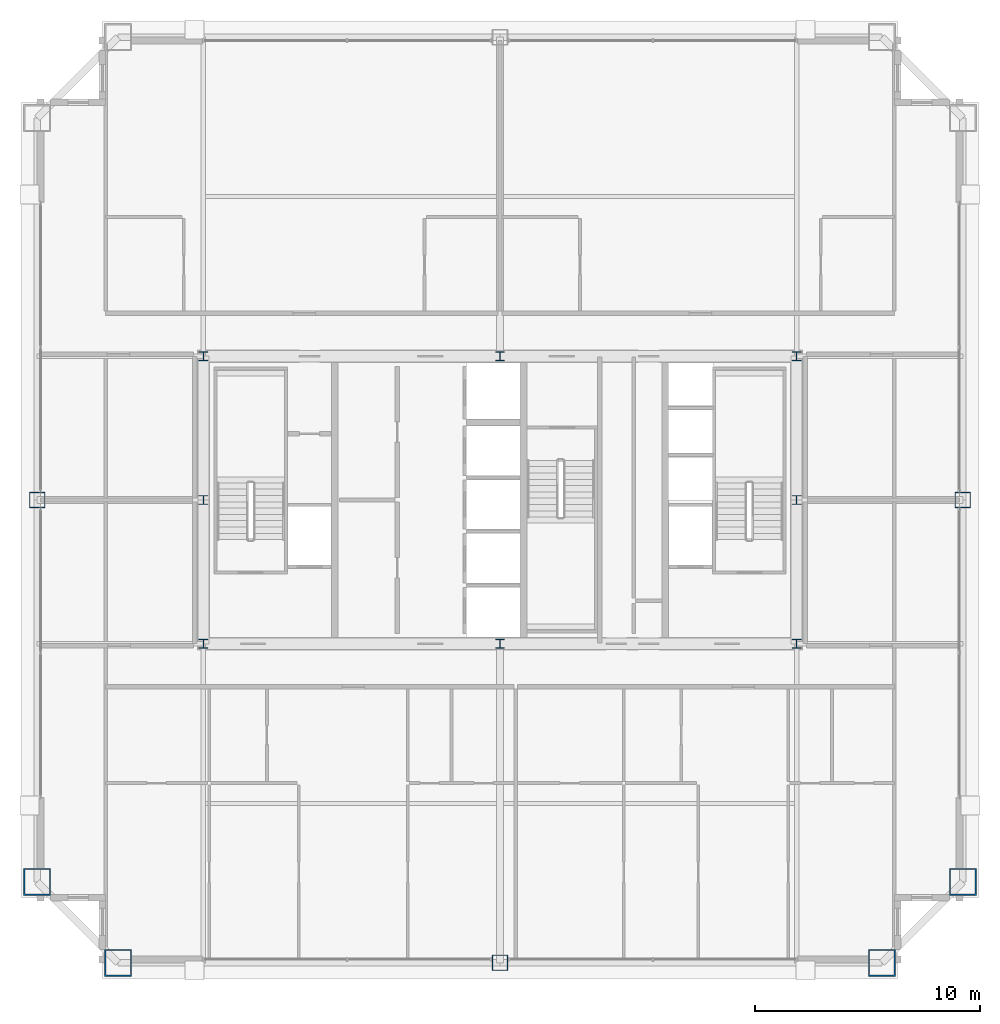
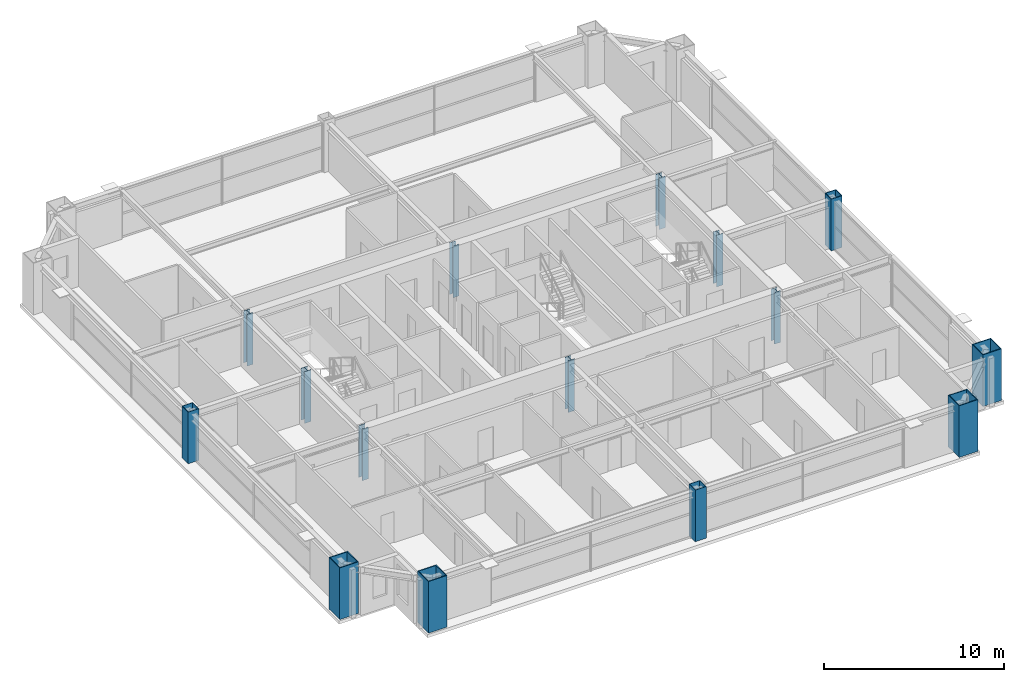
# One storey, part 1 of 36: 15 columns.
"""IFC4 building model written with IfcOpenShell, lengths in metres."""

from ifc_helpers import new_model, si_unit, direction, frame, origin, origin_2d, place, context, subcontext, project, spatial, hollow_rectangle, i_section, extrude, source, transform, mapped, material, material_profile, profile_set, type_object, element, save


model = new_model("IFC4")

# Units and contexts
model_context = context("Model", 3, precision=1e-05, world=origin(), true_north=direction((0.0, 1.0)))
body_context = subcontext(model_context, "Body", "Model", "MODEL_VIEW")
ifc_project = project(units=[si_unit("LENGTHUNIT", "METRE"), si_unit("AREAUNIT", "SQUARE_METRE"), si_unit("VOLUMEUNIT", "CUBIC_METRE"), si_unit("PLANEANGLEUNIT", "RADIAN"), si_unit("MASSUNIT", "GRAM", prefix="KILO"), si_unit("THERMODYNAMICTEMPERATUREUNIT", "KELVIN"), si_unit("POWERUNIT", "WATT")], contexts=[model_context])

# Site, building, storey
site_placement = place(None, origin())
site = spatial("IfcSite", under=ifc_project, at=site_placement, CompositionType="ELEMENT")
building_placement = place(site_placement, origin())
building = spatial("IfcBuilding", under=site, at=building_placement, Name="Yuzanri Waterfront Tower", CompositionType="ELEMENT")
storey_placement = place(building_placement, frame((0.0, 0.0, 231.10009765625)))
storey = spatial("IfcBuildingStorey", under=building, at=storey_placement, Name="L61", CompositionType="ELEMENT", Elevation=231.10009765625)

# Columns
ifc_material_1 = material(Name="Steel Q355B", Category="steel")
ifc_material_profile_1 = material_profile(ifc_material_1, i_section(OverallWidth=0.39990234375, OverallDepth=0.39990234375, WebThickness=0.012939453125, FlangeThickness=0.02099609375, at=origin_2d()), Name="HW 400x400x13x21")
ifc_profile_set_1 = profile_set([ifc_material_profile_1], Name="Steel Q355B")
column_type_1 = type_object("IfcColumnType", Name="Core Post Q355B HW 400x400x13x21", PredefinedType="COLUMN", material=ifc_profile_set_1)
shared_shape_1 = source(origin(), body_context, "Body", "SweptSolid", [
    extrude(i_section(OverallWidth=0.39990234375, OverallDepth=0.39990234375, WebThickness=0.012939453125, FlangeThickness=0.02099609375, at=origin_2d()), origin(), (0.0, 0.0, 1.0), 3.5),
])
for number, where, z_axis, x_axis, name in (
    (1, (23.800048828125, 19.39990234375, 0.0), (0.0, 0.0, 1.0), (1.0, 0.0, 0.0), "L61 Core Boundary Column CP1"),
    (2, (37.0, 19.39990234375, 0.0), (0.0, 0.0, 1.0), (1.0, 0.0, 0.0), "L61 Core Boundary Column CP2"),
    (3, (50.199951171875, 19.39990234375, 0.0), (0.0, 0.0, 1.0), (1.0, 0.0, 0.0), "L61 Core Boundary Column CP3"),
    (4, (23.800048828125, 25.800048828125, 0.0), (0.0, 0.0, 1.0), (1.0, 0.0, 0.0), "L61 Core Boundary Column CP4"),
    (5, (50.199951171875, 25.800048828125, 0.0), (0.0, 0.0, 1.0), (1.0, 0.0, 0.0), "L61 Core Boundary Column CP5"),
    (6, (23.800048828125, 32.199951171875, 0.0), (0.0, 0.0, 1.0), (1.0, 0.0, 0.0), "L61 Core Boundary Column CP6"),
    (7, (37.0, 32.199951171875, 0.0), (0.0, 0.0, 1.0), (1.0, 0.0, 0.0), "L61 Core Boundary Column CP7"),
    (8, (50.199951171875, 32.199951171875, 0.0), (0.0, 0.0, 1.0), (1.0, 0.0, 0.0), "L61 Core Boundary Column CP8"),
):
    element("IfcColumn", number, at=place(storey_placement, frame(where, z_axis=z_axis, x_axis=x_axis)), inside=storey, type_object=column_type_1, Name=name, PredefinedType="COLUMN", context=body_context, shape_type="MappedRepresentation", body=[
        mapped(shared_shape_1, transform((0.0, 0.0, 0.0), scale=1.0)),
    ])
ifc_material_2 = material(Name="Steel Q390GJC", Category="steel")
ifc_material_profile_2 = material_profile(ifc_material_2, hollow_rectangle(XDim=1.199951171875, YDim=1.199951171875, WallThickness=0.054931640625, at=origin_2d()), Name="RHS 1200x1200x55")
ifc_profile_set_2 = profile_set([ifc_material_profile_2], Name="Steel Q390GJC")
column_type_2 = type_object("IfcColumnType", Name="Mega Column Q390GJC RHS 1200x1200x55", PredefinedType="COLUMN", material=ifc_profile_set_2)
shared_shape_2 = source(origin(), body_context, "Body", "SweptSolid", [
    extrude(hollow_rectangle(XDim=1.199951171875, YDim=1.199951171875, WallThickness=0.054931640625, at=origin_2d()), origin(), (0.0, 0.0, 1.0), 3.5),
])
for number, where, z_axis, x_axis, name in (
    (9, (20.0, 5.199951171875, 0.0), (0.0, 0.0, 1.0), (1.0, 0.0, 0.0), "L61 Perimeter Mega Column S1"),
    (10, (54.0, 5.199951171875, 0.0), (0.0, 0.0, 1.0), (1.0, 0.0, 0.0), "L61 Perimeter Mega Column S3"),
    (11, (16.39990234375, 8.800048828125, 0.0), (0.0, 0.0, 1.0), (1.0, 0.0, 0.0), "L61 Perimeter Mega Column W1"),
    (12, (57.60009765625, 8.800048828125, 0.0), (0.0, 0.0, 1.0), (1.0, 0.0, 0.0), "L61 Perimeter Mega Column E1"),
):
    element("IfcColumn", number, at=place(storey_placement, frame(where, z_axis=z_axis, x_axis=x_axis)), inside=storey, type_object=column_type_2, Name=name, PredefinedType="COLUMN", context=body_context, shape_type="MappedRepresentation", body=[
        mapped(shared_shape_2, transform((0.0, 0.0, 0.0), scale=1.0)),
    ])
ifc_material_3 = material(Name="Steel Q355B", Category="steel")
ifc_material_profile_3 = material_profile(ifc_material_3, hollow_rectangle(XDim=0.699951171875, YDim=0.699951171875, WallThickness=0.031982421875, at=origin_2d()), Name="RHS 700x700x32")
ifc_profile_set_3 = profile_set([ifc_material_profile_3], Name="Steel Q355B")
column_type_3 = type_object("IfcColumnType", Name="Frame Column Q355B RHS 700x700x32", PredefinedType="COLUMN", material=ifc_profile_set_3)
shared_shape_3 = source(origin(), body_context, "Body", "SweptSolid", [
    extrude(hollow_rectangle(XDim=0.699951171875, YDim=0.699951171875, WallThickness=0.031982421875, at=origin_2d()), origin(), (0.0, 0.0, 1.0), 3.5),
])
for number, where, z_axis, x_axis, name in (
    (13, (37.0, 5.199951171875, 0.0), (0.0, 0.0, 1.0), (1.0, 0.0, 0.0), "L61 Perimeter Frame Column S2"),
    (14, (16.39990234375, 25.800048828125, 0.0), (0.0, 0.0, 1.0), (1.0, 0.0, 0.0), "L61 Perimeter Frame Column W2"),
    (15, (57.60009765625, 25.800048828125, 0.0), (0.0, 0.0, 1.0), (1.0, 0.0, 0.0), "L61 Perimeter Frame Column E2"),
):
    element("IfcColumn", number, at=place(storey_placement, frame(where, z_axis=z_axis, x_axis=x_axis)), inside=storey, type_object=column_type_3, Name=name, PredefinedType="COLUMN", context=body_context, shape_type="MappedRepresentation", body=[
        mapped(shared_shape_3, transform((0.0, 0.0, 0.0), scale=1.0)),
    ])

save(model, "model.ifc")
